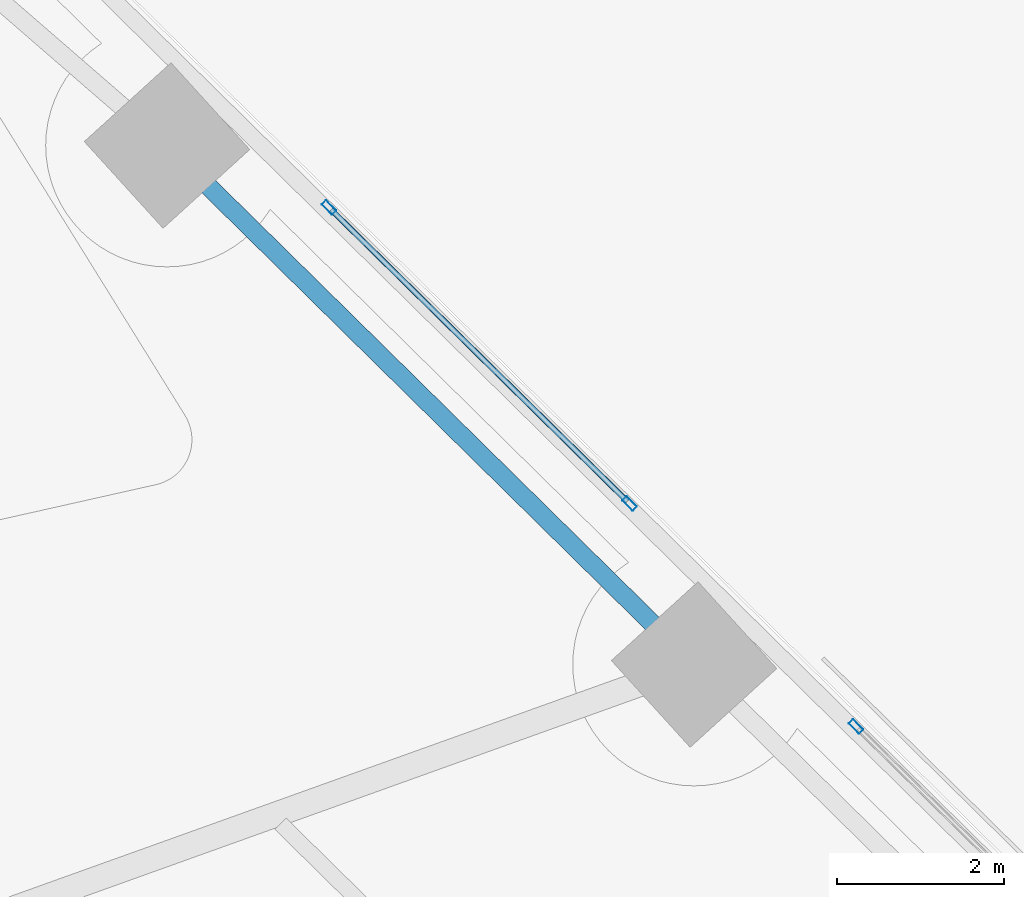
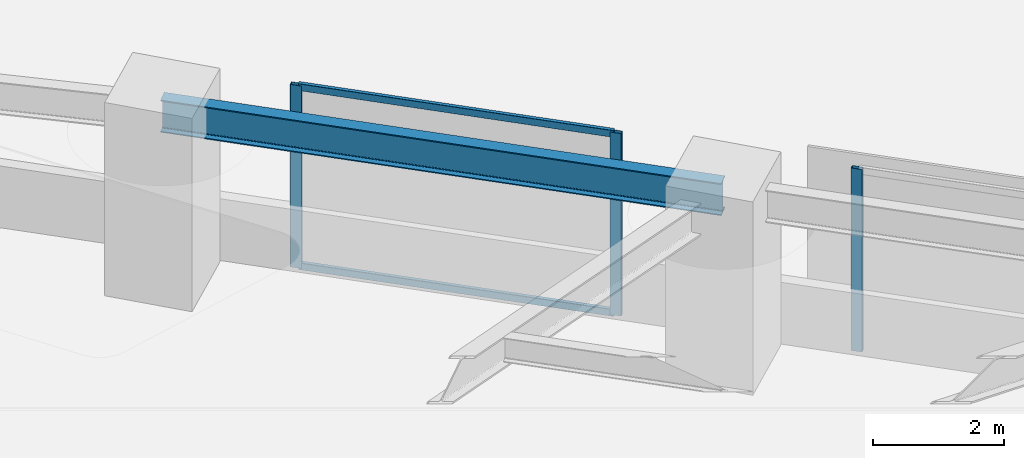
# One storey, part 6 of 19: 5 members, 1 beam, 2 elements without a shape of their own.
"""IFC4 building model written with IfcOpenShell, lengths in metres."""

from ifc_helpers import new_model, si_unit, direction, frame, origin, origin_2d, place, context, subcontext, project, spatial, hollow_rectangle, i_section, extrude, material, material_profile, profile_set, type_object, element, aggregate, save


model = new_model("IFC4")

# Units and contexts
model_context = context("Model", 3, precision=1e-05, world=origin(), true_north=direction((0.0, 1.0)))
body_context = subcontext(model_context, "Body", "Model", "MODEL_VIEW")
ifc_project = project(units=[si_unit("LENGTHUNIT", "METRE"), si_unit("AREAUNIT", "SQUARE_METRE"), si_unit("VOLUMEUNIT", "CUBIC_METRE"), si_unit("PLANEANGLEUNIT", "RADIAN"), si_unit("MASSUNIT", "GRAM", prefix="KILO")], contexts=[model_context])

# Site, building, storey
site_placement = place(None, origin())
site = spatial("IfcSite", under=ifc_project, at=site_placement, CompositionType="ELEMENT")
building_placement = place(site_placement, origin())
building = spatial("IfcBuilding", under=site, at=building_placement, Name="Narakoshi Arena Tower", CompositionType="ELEMENT")
storey_placement = place(building_placement, frame((0.0, 0.0, 26.699951171875)))
storey = spatial("IfcBuildingStorey", under=building, at=storey_placement, Name="L06", CompositionType="ELEMENT", Elevation=26.699951171875)

# Beam
ifc_material_1 = material(Name="Structural steel S355J2", Category="steel")
ifc_material_profile_1 = material_profile(ifc_material_1, i_section(OverallWidth=0.219970703125, OverallDepth=0.60009765625, WebThickness=0.011962890625, FlangeThickness=0.01904296875, FilletRadius=0.02392578125, at=origin_2d()), Name="IPE600")
ifc_profile_set_1 = profile_set([ifc_material_profile_1], Name="Structural steel S355J2")
beam_type = type_object("IfcBeamType", Name="BM-EDGE-600", PredefinedType="BEAM", material=ifc_profile_set_1)
beam_placement = place(storey_placement, frame((102.345458984375, 49.373779296875, 3.10009765625), z_axis=(-0.712540689328, 0.70163079041, 0.0), x_axis=(-0.70163079041, -0.712540689328, 0.0)))
element("IfcBeam", 1, at=beam_placement, inside=storey, type_object=beam_type, Name="L06 Perimeter Edge Girder 07", PredefinedType="BEAM", context=body_context, shape_type="SweptSolid", body=[
    extrude(i_section(OverallWidth=0.219970703125, OverallDepth=0.60009765625, WebThickness=0.011962890625, FlangeThickness=0.01904296875, FilletRadius=0.02392578125, at=origin_2d()), origin(), (0.0, 0.0, 1.0), 8.83935546875),
])

# Curtain wall, member
ifc_material_2 = material(Name="Anodised bronze aluminium 6063-T6", Category="aluminium")
curtain_wall_type = type_object("IfcCurtainWallType", Name="CW-HYP-LOW", PredefinedType="NOTDEFINED", material=ifc_material_2)
curtain_wall_1_placement = place(storey_placement, origin())
curtain_wall_1 = element("IfcCurtainWall", 2, at=curtain_wall_1_placement, inside=storey, type_object=curtain_wall_type, Name="L06 Folded Hypotenuse Curtain Wall 1-3", PredefinedType="NOTDEFINED")
ifc_material_profile_2 = material_profile(ifc_material_2, hollow_rectangle(XDim=0.074951171875, YDim=0.179931640625, WallThickness=0.00390625, OuterFilletRadius=0.0048828125, at=origin_2d()), Name="MUL180x75x4")
ifc_profile_set_2 = profile_set([ifc_material_profile_2], Name="Anodised bronze aluminium 6063-T6")
member_type_1 = type_object("IfcMemberType", Name="MEM-MUL-180", PredefinedType="MULLION", material=ifc_profile_set_2)
member_1_placement = place(storey_placement, frame((104.280517578125, 48.63330078125, 0.0), z_axis=(0.0, 0.0, 1.0), x_axis=(-0.701632802488, -0.712538708053, 0.0)))
member_1 = element("IfcMember", 3, at=member_1_placement, type_object=member_type_1, Name="CW-01 mullion 2", PredefinedType="MULLION", context=body_context, shape_type="SweptSolid", body=[
    extrude(hollow_rectangle(XDim=0.074951171875, YDim=0.179931640625, WallThickness=0.00390625, OuterFilletRadius=0.0048828125, at=origin_2d()), origin(), (0.0, 0.0, 1.0), 3.400146484375),
])
aggregate(curtain_wall_1, [member_1])

# Curtain wall, members
curtain_wall_2_placement = place(storey_placement, origin())
curtain_wall_2 = element("IfcCurtainWall", 4, at=curtain_wall_2_placement, inside=storey, type_object=curtain_wall_type, Name="L06 Folded Hypotenuse Curtain Wall 1-4", PredefinedType="NOTDEFINED")
member_2_placement = place(storey_placement, frame((101.574462890625, 51.2978515625, 0.0), z_axis=(0.0, 0.0, 1.0), x_axis=(-0.701632802488, -0.712538708053, 0.0)))
member_2 = element("IfcMember", 5, at=member_2_placement, type_object=member_type_1, Name="CW-01 mullion 1", PredefinedType="MULLION", context=body_context, shape_type="SweptSolid", body=[
    extrude(hollow_rectangle(XDim=0.074951171875, YDim=0.179931640625, WallThickness=0.00390625, OuterFilletRadius=0.0048828125, at=origin_2d()), origin(), (0.0, 0.0, 1.0), 3.400146484375),
])
member_3_placement = place(storey_placement, frame((97.982177734375, 54.835205078125, 0.0), z_axis=(0.0, 0.0, 1.0), x_axis=(-0.701632802488, -0.712538708053, 0.0)))
member_3 = element("IfcMember", 6, at=member_3_placement, type_object=member_type_1, Name="CW-01 mullion 2", PredefinedType="MULLION", context=body_context, shape_type="SweptSolid", body=[
    extrude(hollow_rectangle(XDim=0.074951171875, YDim=0.179931640625, WallThickness=0.00390625, OuterFilletRadius=0.0048828125, at=origin_2d()), origin(), (0.0, 0.0, 1.0), 3.400146484375),
])
ifc_material_profile_3 = material_profile(ifc_material_2, hollow_rectangle(XDim=0.06494140625, YDim=0.1298828125, WallThickness=0.00390625, OuterFilletRadius=0.0048828125, at=origin_2d()), Name="TRN130x65x4")
ifc_profile_set_3 = profile_set([ifc_material_profile_3], Name="Anodised bronze aluminium 6063-T6")
member_type_2 = type_object("IfcMemberType", Name="MEM-TRN-130", PredefinedType="USERDEFINED", material=ifc_profile_set_3)
member_4_placement = place(storey_placement, frame((101.547607421875, 51.32421875, 0.032470703125), z_axis=(-0.712542243067, 0.701629212508, 0.0), x_axis=(-0.701629212508, -0.712542243067, 0.0)))
member_4 = element("IfcMember", 7, at=member_4_placement, type_object=member_type_2, Name="CW-01 transom 1.1", ObjectType="TRANSOM", PredefinedType="USERDEFINED", context=body_context, shape_type="SweptSolid", body=[
    extrude(hollow_rectangle(XDim=0.06494140625, YDim=0.1298828125, WallThickness=0.00390625, OuterFilletRadius=0.0048828125, at=origin_2d()), origin(), (0.0, 0.0, 1.0), 4.966552734375),
])
member_5_placement = place(storey_placement, frame((101.547607421875, 51.32421875, 3.367431640625), z_axis=(-0.712542243067, 0.701629212508, 0.0), x_axis=(-0.701629212508, -0.712542243067, 0.0)))
member_5 = element("IfcMember", 8, at=member_5_placement, type_object=member_type_2, Name="CW-01 transom 1.2", ObjectType="TRANSOM", PredefinedType="USERDEFINED", context=body_context, shape_type="SweptSolid", body=[
    extrude(hollow_rectangle(XDim=0.06494140625, YDim=0.1298828125, WallThickness=0.00390625, OuterFilletRadius=0.0048828125, at=origin_2d()), origin(), (0.0, 0.0, 1.0), 4.966552734375),
])
aggregate(curtain_wall_2, [member_2, member_3, member_4, member_5])

save(model, "model.ifc")
